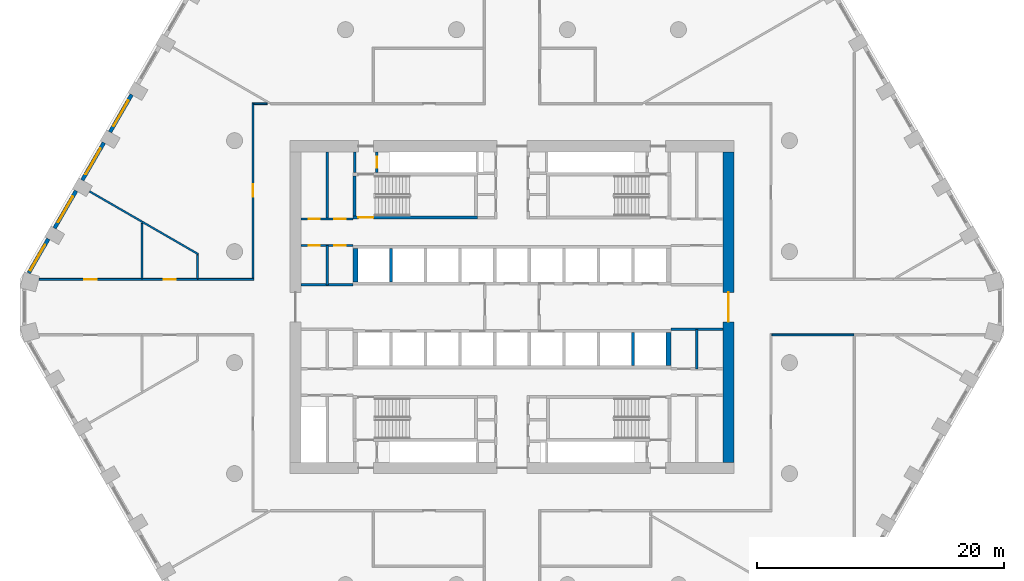
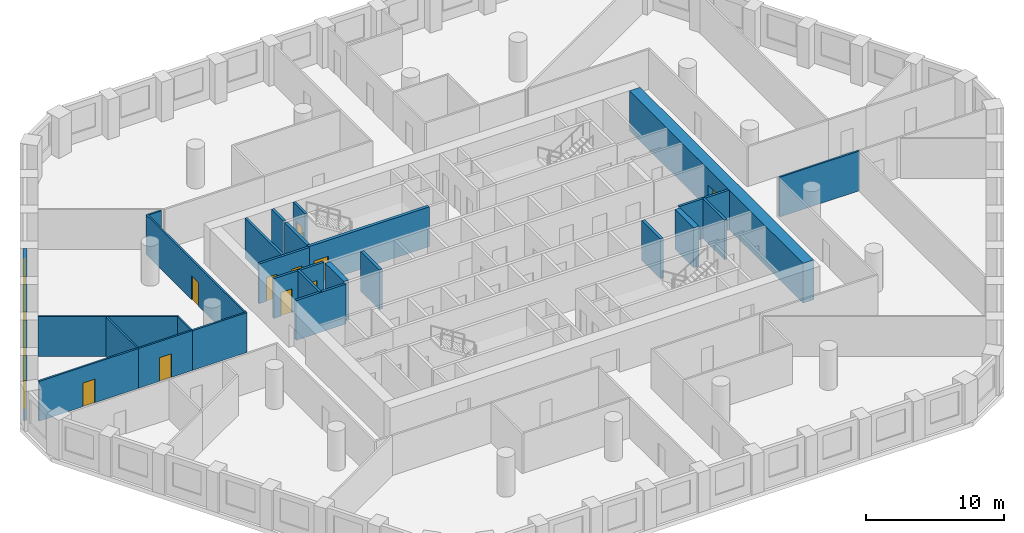
# One storey, part 5 of 10: 30 walls, 10 doors, 4 windows, 14 openings.
"""IFC4 building model written with IfcOpenShell, lengths in metres."""

from ifc_helpers import new_model, si_unit, direction, frame, frame_2d, origin, place, context, subcontext, project, spatial, polyline, rectangle, outline, extrude, material, layer, layer_set, type_object, element, fill, save


model = new_model("IFC4")

# Units and contexts
model_context = context("Model", 3, precision=1e-05, world=origin(), true_north=direction((0.0, 1.0)))
body_context = subcontext(model_context, "Body", "Model", "MODEL_VIEW")
ifc_project = project(units=[si_unit("LENGTHUNIT", "METRE"), si_unit("AREAUNIT", "SQUARE_METRE"), si_unit("VOLUMEUNIT", "CUBIC_METRE"), si_unit("PLANEANGLEUNIT", "RADIAN"), si_unit("MASSUNIT", "GRAM", prefix="KILO")], contexts=[model_context])

# Site, building, storey
site_placement = place(None, origin())
site = spatial("IfcSite", under=ifc_project, at=site_placement, CompositionType="ELEMENT")
building_placement = place(site_placement, origin())
building = spatial("IfcBuilding", under=site, at=building_placement, Name="Dhurran Vertical Campus", CompositionType="ELEMENT")
storey_placement = place(building_placement, frame((0.0, 0.0, 112.5)))
storey = spatial("IfcBuildingStorey", under=building, at=storey_placement, Name="L27", CompositionType="ELEMENT", Elevation=112.5)

# Wall, opening, window
ifc_material_1 = material(Name="Precast concrete C50/60", Category="concrete")
ifc_layer_1 = layer(ifc_material_1, 0.300048828125)
ifc_layer_set_1 = layer_set([ifc_layer_1], Name="Precast concrete C50/60")
wall_type_1 = type_object("IfcWallType", Name="Precast spandrel wall 300", PredefinedType="SOLIDWALL", material=ifc_layer_set_1)
wall_1_placement = place(storey_placement, frame((-30.84423828125, 17.22998046875, 0.0), z_axis=(0.0, 0.0, 1.0), x_axis=(-0.499996256241, -0.866027565234, 0.0)))
wall_1 = element("IfcWall", 1, at=wall_1_placement, inside=storey, type_object=wall_type_1, Name="EW1 L27.39", PredefinedType="SOLIDWALL", context=body_context, shape_type="SweptSolid", body=[
    extrude(rectangle(XDim=3.4990234375, YDim=0.300048828125, at=frame_2d((1.74951171875, 0.0))), origin(), (0.0, 0.0, 1.0), 3.52490234375),
])
opening_1_placement = place(wall_1_placement, frame((0.549560546875, 0.0, 0.89990234375)))
opening_1 = element("IfcOpeningElement", 2, at=opening_1_placement, cuts=wall_1, Name="Opening WT1", PredefinedType="OPENING", context=body_context, shape_type="SweptSolid", body=[
    extrude(rectangle(XDim=2.39990234375, YDim=2.10009765625, at=frame_2d((1.199951171875, 1.050048828125))), frame((0.0, 0.159912109375, 0.0), z_axis=(0.0, -1.0, 0.0), x_axis=(1.0, 0.0, 0.0)), (0.0, 0.0, 1.0), 0.320068359375),
])
ifc_material_2 = material(Name="Aluminium frame with solar-control glass", Category="aluminium")
window_type = type_object("IfcWindowType", Name="Punched window 2400 x 2100", PartitioningType="SINGLE_PANEL", PredefinedType="WINDOW", material=ifc_material_2)
window_1_placement = place(opening_1_placement, origin())
window_1 = element("IfcWindow", 3, at=window_1_placement, inside=storey, type_object=window_type, Name="WT1 L27.39", OverallHeight=2.10009765625, OverallWidth=2.39990234375, PartitioningType="SINGLE_PANEL", PredefinedType="WINDOW", context=body_context, shape_type="SweptSolid", body=[
    extrude(rectangle(XDim=2.39990234375, YDim=2.10009765625, at=frame_2d((1.199951171875, 1.050048828125))), frame((0.0, 0.030029296875, 0.0), z_axis=(0.0, -1.0, 0.0), x_axis=(1.0, 0.0, 0.0)), (0.0, 0.0, 1.0), 0.06005859375),
])
fill(opening_1, window_1)

wall_2_placement = place(storey_placement, frame((-33.09423828125, 13.3330078125, 0.0), z_axis=(0.0, 0.0, 1.0), x_axis=(-0.499996256241, -0.866027565234, 0.0)))
wall_2 = element("IfcWall", 4, at=wall_2_placement, inside=storey, type_object=wall_type_1, Name="EW1 L27.40", PredefinedType="SOLIDWALL", context=body_context, shape_type="SweptSolid", body=[
    extrude(rectangle(XDim=3.4990234375, YDim=0.300048828125, at=frame_2d((1.74951171875, 0.0))), origin(), (0.0, 0.0, 1.0), 3.52490234375),
])
opening_2_placement = place(wall_2_placement, frame((0.549560546875, 0.0, 0.89990234375)))
opening_2 = element("IfcOpeningElement", 5, at=opening_2_placement, cuts=wall_2, Name="Opening WT1", PredefinedType="OPENING", context=body_context, shape_type="SweptSolid", body=[
    extrude(rectangle(XDim=2.39990234375, YDim=2.10009765625, at=frame_2d((1.199951171875, 1.050048828125))), frame((0.0, 0.159912109375, 0.0), z_axis=(0.0, -1.0, 0.0), x_axis=(1.0, 0.0, 0.0)), (0.0, 0.0, 1.0), 0.320068359375),
])
window_2_placement = place(opening_2_placement, origin())
window_2 = element("IfcWindow", 6, at=window_2_placement, inside=storey, type_object=window_type, Name="WT1 L27.40", OverallHeight=2.10009765625, OverallWidth=2.39990234375, PartitioningType="SINGLE_PANEL", PredefinedType="WINDOW", context=body_context, shape_type="SweptSolid", body=[
    extrude(rectangle(XDim=2.39990234375, YDim=2.10009765625, at=frame_2d((1.199951171875, 1.050048828125))), frame((0.0, 0.030029296875, 0.0), z_axis=(0.0, -1.0, 0.0), x_axis=(1.0, 0.0, 0.0)), (0.0, 0.0, 1.0), 0.06005859375),
])
fill(opening_2, window_2)

wall_3_placement = place(storey_placement, frame((-35.34423828125, 9.435791015625, 0.0), z_axis=(0.0, 0.0, 1.0), x_axis=(-0.499996256241, -0.866027565234, 0.0)))
wall_3 = element("IfcWall", 7, at=wall_3_placement, inside=storey, type_object=wall_type_1, Name="EW1 L27.41", PredefinedType="SOLIDWALL", context=body_context, shape_type="SweptSolid", body=[
    extrude(rectangle(XDim=3.4990234375, YDim=0.300048828125, at=frame_2d((1.74951171875, 0.0))), origin(), (0.0, 0.0, 1.0), 3.52490234375),
])
opening_3_placement = place(wall_3_placement, frame((0.549560546875, 0.0, 0.89990234375)))
opening_3 = element("IfcOpeningElement", 8, at=opening_3_placement, cuts=wall_3, Name="Opening WT1", PredefinedType="OPENING", context=body_context, shape_type="SweptSolid", body=[
    extrude(rectangle(XDim=2.39990234375, YDim=2.10009765625, at=frame_2d((1.199951171875, 1.050048828125))), frame((0.0, 0.159912109375, 0.0), z_axis=(0.0, -1.0, 0.0), x_axis=(1.0, 0.0, 0.0)), (0.0, 0.0, 1.0), 0.320068359375),
])
window_3_placement = place(opening_3_placement, origin())
window_3 = element("IfcWindow", 9, at=window_3_placement, inside=storey, type_object=window_type, Name="WT1 L27.41", OverallHeight=2.10009765625, OverallWidth=2.39990234375, PartitioningType="SINGLE_PANEL", PredefinedType="WINDOW", context=body_context, shape_type="SweptSolid", body=[
    extrude(rectangle(XDim=2.39990234375, YDim=2.10009765625, at=frame_2d((1.199951171875, 1.050048828125))), frame((0.0, 0.030029296875, 0.0), z_axis=(0.0, -1.0, 0.0), x_axis=(1.0, 0.0, 0.0)), (0.0, 0.0, 1.0), 0.06005859375),
])
fill(opening_3, window_3)

wall_4_placement = place(storey_placement, frame((-37.59423828125, 5.538818359375, 0.0), z_axis=(0.0, 0.0, 1.0), x_axis=(-0.500004907028, -0.866022570692, 0.0)))
wall_4 = element("IfcWall", 10, at=wall_4_placement, inside=storey, type_object=wall_type_1, Name="EW1 L27.42", PredefinedType="SOLIDWALL", context=body_context, shape_type="SweptSolid", body=[
    extrude(rectangle(XDim=3.1923828125, YDim=0.300048828125, at=frame_2d((1.59619140625, 0.0))), origin(), (0.0, 0.0, 1.0), 3.52490234375),
])
opening_4_placement = place(wall_4_placement, frame((0.549560546875, 0.0, 0.89990234375)))
opening_4 = element("IfcOpeningElement", 11, at=opening_4_placement, cuts=wall_4, Name="Opening WT1", PredefinedType="OPENING", context=body_context, shape_type="SweptSolid", body=[
    extrude(rectangle(XDim=2.39990234375, YDim=2.10009765625, at=frame_2d((1.199951171875, 1.050048828125))), frame((0.0, 0.159912109375, 0.0), z_axis=(0.0, -1.0, 0.0), x_axis=(1.0, 0.0, 0.0)), (0.0, 0.0, 1.0), 0.320068359375),
])
window_4_placement = place(opening_4_placement, origin())
window_4 = element("IfcWindow", 12, at=window_4_placement, inside=storey, type_object=window_type, Name="WT1 L27.42", OverallHeight=2.10009765625, OverallWidth=2.39990234375, PartitioningType="SINGLE_PANEL", PredefinedType="WINDOW", context=body_context, shape_type="SweptSolid", body=[
    extrude(rectangle(XDim=2.39990234375, YDim=2.10009765625, at=frame_2d((1.199951171875, 1.050048828125))), frame((0.0, 0.030029296875, 0.0), z_axis=(0.0, -1.0, 0.0), x_axis=(1.0, 0.0, 0.0)), (0.0, 0.0, 1.0), 0.06005859375),
])
fill(opening_4, window_4)

# Wall, opening, door
ifc_material_3 = material(Name="Concrete C60/75", Category="concrete")
ifc_layer_2 = layer(ifc_material_3, 0.89990234375)
ifc_layer_set_2 = layer_set([ifc_layer_2], Name="Concrete C60/75")
wall_type_2 = type_object("IfcWallType", Name="co-CORE-WALL-C0-900", PredefinedType="SHEAR", material=ifc_layer_set_2)
wall_5_placement = place(storey_placement, frame((17.550048828125, -12.60009765625, 0.0), z_axis=(0.0, 0.0, 1.0), x_axis=(0.0, 1.0, 0.0)))
wall_5 = element("IfcWall", 13, at=wall_5_placement, inside=storey, type_object=wall_type_2, Name="Core wall E L27", PredefinedType="SHEAR", context=body_context, shape_type="SweptSolid", body=[
    extrude(rectangle(XDim=25.2001953125, YDim=0.89990234375, at=frame_2d((12.60009765625, 0.0))), origin(), (0.0, 0.0, 1.0), 3.52490234375),
])
opening_5_placement = place(wall_5_placement, frame((11.39990234375, 0.0, 0.0)))
opening_5 = element("IfcOpeningElement", 14, at=opening_5_placement, cuts=wall_5, Name="Opening CL2", PredefinedType="OPENING", context=body_context, shape_type="SweptSolid", body=[
    extrude(rectangle(XDim=2.39990234375, YDim=2.10009765625, at=frame_2d((1.199951171875, 1.050048828125))), frame((0.0, 0.4599609375, 0.0), z_axis=(0.0, -1.0, 0.0), x_axis=(1.0, 0.0, 0.0)), (0.0, 0.0, 1.0), 0.919921875),
])
ifc_material_4 = material(Name="Fire-rated glazed door set")
door_type_1 = type_object("IfcDoorType", Name="co-D-LOBBY 2400x2100", OperationType="DOUBLE_DOOR_DOUBLE_SWING", PredefinedType="DOOR", material=ifc_material_4)
door_1_placement = place(opening_5_placement, origin())
door_1 = element("IfcDoor", 15, at=door_1_placement, inside=storey, type_object=door_type_1, Name="Lift lobby door E L27", OperationType="DOUBLE_DOOR_DOUBLE_SWING", OverallHeight=2.10009765625, OverallWidth=2.39990234375, PredefinedType="DOOR", context=body_context, shape_type="SweptSolid", body=[
    extrude(rectangle(XDim=2.39990234375, YDim=2.10009765625, at=frame_2d((1.199951171875, 1.050048828125))), frame((0.0, 0.02490234375, 0.0), z_axis=(0.0, -1.0, 0.0), x_axis=(1.0, 0.0, 0.0)), (0.0, 0.0, 1.0), 0.050048828125),
])
fill(opening_5, door_1)

# Wall
ifc_material_5 = material(Name="Fire-rated masonry blockwork", Category="masonry")
ifc_layer_3 = layer(ifc_material_5, 0.199951171875)
ifc_layer_set_3 = layer_set([ifc_layer_3], Name="Fire-rated masonry blockwork")
wall_type_3 = type_object("IfcWallType", Name="co-FIRE-PARTITION-200", PredefinedType="PARTITIONING", material=ifc_layer_set_3)
wall_6_placement = place(storey_placement, frame((-12.75, 10.89990234375, 0.0), z_axis=(0.0, 0.0, 1.0), x_axis=(0.0, 1.0, 0.0)))
element("IfcWall", 16, at=wall_6_placement, inside=storey, type_object=wall_type_3, Name="Core partition pass-ST1-o L27", PredefinedType="PARTITIONING", context=body_context, shape_type="SweptSolid", body=[
    extrude(rectangle(XDim=1.7001953125, YDim=0.199951171875, at=frame_2d((0.85009765625, 0.0))), origin(), (0.0, 0.0, 1.0), 3.52490234375),
])

# Wall, opening, door
wall_7_placement = place(storey_placement, frame((-10.949951171875, 10.89990234375, 0.0), z_axis=(0.0, 0.0, 1.0), x_axis=(0.0, 1.0, 0.0)))
wall_7 = element("IfcWall", 17, at=wall_7_placement, inside=storey, type_object=wall_type_3, Name="Core partition pass-ST1-i L27", PredefinedType="PARTITIONING", context=body_context, shape_type="SweptSolid", body=[
    extrude(rectangle(XDim=1.7001953125, YDim=0.199951171875, at=frame_2d((0.85009765625, 0.0))), origin(), (0.0, 0.0, 1.0), 3.52490234375),
])
opening_6_placement = place(wall_7_placement, frame((0.39990234375, 0.0, 0.0)))
opening_6 = element("IfcOpeningElement", 18, at=opening_6_placement, cuts=wall_7, Name="Opening T07-C13", PredefinedType="OPENING", context=body_context, shape_type="SweptSolid", body=[
    extrude(rectangle(XDim=0.89990234375, YDim=2.10009765625, at=frame_2d((0.449951171875, 1.050048828125))), frame((0.0, 0.10986328125, 0.0), z_axis=(0.0, -1.0, 0.0), x_axis=(1.0, 0.0, 0.0)), (0.0, 0.0, 1.0), 0.219970703125),
])
ifc_material_6 = material(Name="Fire-rated timber door set", Category="wood")
door_type_2 = type_object("IfcDoorType", Name="co-D-ROOM 900x2100", OperationType="SINGLE_SWING_LEFT", PredefinedType="DOOR", material=ifc_material_6)
door_2_placement = place(opening_6_placement, origin())
door_2 = element("IfcDoor", 19, at=door_2_placement, inside=storey, type_object=door_type_2, Name="Riser room door L27", OperationType="SINGLE_SWING_LEFT", OverallHeight=2.10009765625, OverallWidth=0.89990234375, PredefinedType="DOOR", context=body_context, shape_type="SweptSolid", body=[
    extrude(rectangle(XDim=0.89990234375, YDim=2.10009765625, at=frame_2d((0.449951171875, 1.050048828125))), frame((0.0, 0.02490234375, 0.0), z_axis=(0.0, -1.0, 0.0), x_axis=(1.0, 0.0, 0.0)), (0.0, 0.0, 1.0), 0.050048828125),
])
fill(opening_6, door_2)

# Wall
wall_8_placement = place(storey_placement, frame((-15.0, 7.14990234375, 0.0), z_axis=(0.0, 0.0, 1.0), x_axis=(0.0, 1.0, 0.0)))
element("IfcWall", 20, at=wall_8_placement, inside=storey, type_object=wall_type_3, Name="Core partition en-NW-cut0 L27", PredefinedType="PARTITIONING", context=body_context, shape_type="SweptSolid", body=[
    extrude(rectangle(XDim=5.4501953125, YDim=0.199951171875, at=frame_2d((2.72509765625, 0.0))), origin(), (0.0, 0.0, 1.0), 3.52490234375),
])

# Wall, openings, doors
wall_9_placement = place(storey_placement, frame((-17.10009765625, 7.14990234375, 0.0), z_axis=(0.0, 0.0, 1.0), x_axis=(1.0, 0.0, 0.0)))
wall_9 = element("IfcWall", 21, at=wall_9_placement, inside=storey, type_object=wall_type_3, Name="Core partition en-NW-w L27", PredefinedType="PARTITIONING", context=body_context, shape_type="SweptSolid", body=[
    extrude(rectangle(XDim=4.2001953125, YDim=0.199951171875, at=frame_2d((2.10009765625, 0.0))), origin(), (0.0, 0.0, 1.0), 3.52490234375),
])
opening_7_placement = place(wall_9_placement, frame((0.60009765625, 0.0, 0.0)))
opening_7 = element("IfcOpeningElement", 22, at=opening_7_placement, cuts=wall_9, Name="Opening T07-C17", PredefinedType="OPENING", context=body_context, shape_type="SweptSolid", body=[
    extrude(rectangle(XDim=0.89990234375, YDim=2.10009765625, at=frame_2d((0.449951171875, 1.050048828125))), frame((0.0, 0.10986328125, 0.0), z_axis=(0.0, -1.0, 0.0), x_axis=(1.0, 0.0, 0.0)), (0.0, 0.0, 1.0), 0.219970703125),
])
opening_8_placement = place(wall_9_placement, frame((2.699951171875, 0.0, 0.0)))
opening_8 = element("IfcOpeningElement", 23, at=opening_8_placement, cuts=wall_9, Name="Opening T07-C18", PredefinedType="OPENING", context=body_context, shape_type="SweptSolid", body=[
    extrude(rectangle(XDim=0.89990234375, YDim=2.10009765625, at=frame_2d((0.449951171875, 1.050048828125))), frame((0.0, 0.10986328125, 0.0), z_axis=(0.0, -1.0, 0.0), x_axis=(1.0, 0.0, 0.0)), (0.0, 0.0, 1.0), 0.219970703125),
])
door_3_placement = place(opening_7_placement, origin())
door_3 = element("IfcDoor", 24, at=door_3_placement, inside=storey, type_object=door_type_2, Name="Cleaner's store door L27", OperationType="SINGLE_SWING_LEFT", OverallHeight=2.10009765625, OverallWidth=0.89990234375, PredefinedType="DOOR", context=body_context, shape_type="SweptSolid", body=[
    extrude(rectangle(XDim=0.89990234375, YDim=2.10009765625, at=frame_2d((0.449951171875, 1.050048828125))), frame((0.0, 0.02490234375, 0.0), z_axis=(0.0, -1.0, 0.0), x_axis=(1.0, 0.0, 0.0)), (0.0, 0.0, 1.0), 0.050048828125),
])
fill(opening_7, door_3)
door_4_placement = place(opening_8_placement, origin())
door_4 = element("IfcDoor", 25, at=door_4_placement, inside=storey, type_object=door_type_2, Name="Cleaner's store door L27", OperationType="SINGLE_SWING_LEFT", OverallHeight=2.10009765625, OverallWidth=0.89990234375, PredefinedType="DOOR", context=body_context, shape_type="SweptSolid", body=[
    extrude(rectangle(XDim=0.89990234375, YDim=2.10009765625, at=frame_2d((0.449951171875, 1.050048828125))), frame((0.0, 0.02490234375, 0.0), z_axis=(0.0, -1.0, 0.0), x_axis=(1.0, 0.0, 0.0)), (0.0, 0.0, 1.0), 0.050048828125),
])
fill(opening_8, door_4)

# Wall
wall_10_placement = place(storey_placement, frame((-15.0, 1.800048828125, 0.0), z_axis=(0.0, 0.0, 1.0), x_axis=(0.0, 1.0, 0.0)))
element("IfcWall", 26, at=wall_10_placement, inside=storey, type_object=wall_type_3, Name="Core partition es-NW-cut0 L27", PredefinedType="PARTITIONING", context=body_context, shape_type="SweptSolid", body=[
    extrude(rectangle(XDim=3.199951171875, YDim=0.199951171875, at=frame_2d((1.60009765625, 0.0))), origin(), (0.0, 0.0, 1.0), 3.52490234375),
])

# Wall, openings, doors
wall_11_placement = place(storey_placement, frame((-17.10009765625, 5.0, 0.0), z_axis=(0.0, 0.0, 1.0), x_axis=(1.0, 0.0, 0.0)))
wall_11 = element("IfcWall", 27, at=wall_11_placement, inside=storey, type_object=wall_type_3, Name="Core partition es-NW-w L27", PredefinedType="PARTITIONING", context=body_context, shape_type="SweptSolid", body=[
    extrude(rectangle(XDim=4.2001953125, YDim=0.199951171875, at=frame_2d((2.10009765625, 0.0))), origin(), (0.0, 0.0, 1.0), 3.52490234375),
])
opening_9_placement = place(wall_11_placement, frame((0.60009765625, 0.0, 0.0)))
opening_9 = element("IfcOpeningElement", 28, at=opening_9_placement, cuts=wall_11, Name="Opening T07-C19", PredefinedType="OPENING", context=body_context, shape_type="SweptSolid", body=[
    extrude(rectangle(XDim=0.89990234375, YDim=2.10009765625, at=frame_2d((0.449951171875, 1.050048828125))), frame((0.0, 0.10986328125, 0.0), z_axis=(0.0, -1.0, 0.0), x_axis=(1.0, 0.0, 0.0)), (0.0, 0.0, 1.0), 0.219970703125),
])
opening_10_placement = place(wall_11_placement, frame((2.699951171875, 0.0, 0.0)))
opening_10 = element("IfcOpeningElement", 29, at=opening_10_placement, cuts=wall_11, Name="Opening T07-C20", PredefinedType="OPENING", context=body_context, shape_type="SweptSolid", body=[
    extrude(rectangle(XDim=0.89990234375, YDim=2.10009765625, at=frame_2d((0.449951171875, 1.050048828125))), frame((0.0, 0.10986328125, 0.0), z_axis=(0.0, -1.0, 0.0), x_axis=(1.0, 0.0, 0.0)), (0.0, 0.0, 1.0), 0.219970703125),
])
door_5_placement = place(opening_9_placement, origin())
door_5 = element("IfcDoor", 30, at=door_5_placement, inside=storey, type_object=door_type_2, Name="Fire equipment store door L27", OperationType="SINGLE_SWING_LEFT", OverallHeight=2.10009765625, OverallWidth=0.89990234375, PredefinedType="DOOR", context=body_context, shape_type="SweptSolid", body=[
    extrude(rectangle(XDim=0.89990234375, YDim=2.10009765625, at=frame_2d((0.449951171875, 1.050048828125))), frame((0.0, 0.02490234375, 0.0), z_axis=(0.0, -1.0, 0.0), x_axis=(1.0, 0.0, 0.0)), (0.0, 0.0, 1.0), 0.050048828125),
])
fill(opening_9, door_5)
door_6_placement = place(opening_10_placement, origin())
door_6 = element("IfcDoor", 31, at=door_6_placement, inside=storey, type_object=door_type_2, Name="Housekeeping store door L27", OperationType="SINGLE_SWING_LEFT", OverallHeight=2.10009765625, OverallWidth=0.89990234375, PredefinedType="DOOR", context=body_context, shape_type="SweptSolid", body=[
    extrude(rectangle(XDim=0.89990234375, YDim=2.10009765625, at=frame_2d((0.449951171875, 1.050048828125))), frame((0.0, 0.02490234375, 0.0), z_axis=(0.0, -1.0, 0.0), x_axis=(1.0, 0.0, 0.0)), (0.0, 0.0, 1.0), 0.050048828125),
])
fill(opening_10, door_6)

# Walls
wall_12_placement = place(storey_placement, frame((-17.10009765625, 1.800048828125, 0.0), z_axis=(0.0, 0.0, 1.0), x_axis=(1.0, 0.0, 0.0)))
element("IfcWall", 32, at=wall_12_placement, inside=storey, type_object=wall_type_3, Name="Core partition es-NW-l L27", PredefinedType="PARTITIONING", context=body_context, shape_type="SweptSolid", body=[
    extrude(rectangle(XDim=4.2001953125, YDim=0.199951171875, at=frame_2d((2.10009765625, 0.0))), origin(), (0.0, 0.0, 1.0), 3.52490234375),
])
wall_13_placement = place(storey_placement, frame((15.0, -5.0, 0.0), z_axis=(0.0, 0.0, 1.0), x_axis=(0.0, 1.0, 0.0)))
element("IfcWall", 33, at=wall_13_placement, inside=storey, type_object=wall_type_3, Name="Core partition es-SE-cut0 L27", PredefinedType="PARTITIONING", context=body_context, shape_type="SweptSolid", body=[
    extrude(rectangle(XDim=3.199951171875, YDim=0.199951171875, at=frame_2d((1.60009765625, 0.0))), origin(), (0.0, 0.0, 1.0), 3.52490234375),
])
wall_14_placement = place(storey_placement, frame((12.89990234375, -1.800048828125, 0.0), z_axis=(0.0, 0.0, 1.0), x_axis=(1.0, 0.0, 0.0)))
element("IfcWall", 34, at=wall_14_placement, inside=storey, type_object=wall_type_3, Name="Core partition es-SE-l L27", PredefinedType="PARTITIONING", context=body_context, shape_type="SweptSolid", body=[
    extrude(rectangle(XDim=4.2001953125, YDim=0.199951171875, at=frame_2d((2.10009765625, 0.0))), origin(), (0.0, 0.0, 1.0), 3.52490234375),
])
ifc_material_7 = material(Name="Concrete C50/60", Category="concrete")
ifc_layer_4 = layer(ifc_material_7, 0.25)
ifc_layer_set_4 = layer_set([ifc_layer_4], Name="Concrete C50/60")
wall_type_4 = type_object("IfcWallType", Name="co-SHAFT-MASS-250", PredefinedType="SHEAR", material=ifc_layer_set_4)
wall_15_placement = place(storey_placement, origin())
element("IfcWall", 35, at=wall_15_placement, inside=storey, type_object=wall_type_4, Name="Lift shaft wall N L27 2", PredefinedType="SHEAR", context=body_context, shape_type="SweptSolid", body=[
    extrude(outline(polyline([(-12.89990234375, 2.050048828125), (-12.47509765625, 2.050048828125), (-12.47509765625, 4.75), (-12.89990234375, 4.75), (-12.89990234375, 2.050048828125)])), origin(), (0.0, 0.0, 1.0), 3.52490234375),
])
wall_16_placement = place(storey_placement, origin())
element("IfcWall", 36, at=wall_16_placement, inside=storey, type_object=wall_type_4, Name="Lift shaft wall N L27 3", PredefinedType="SHEAR", context=body_context, shape_type="SweptSolid", body=[
    extrude(outline(polyline([(-9.925048828125, 2.050048828125), (-9.675048828125, 2.050048828125), (-9.675048828125, 4.75), (-9.925048828125, 4.75), (-9.925048828125, 2.050048828125)])), origin(), (0.0, 0.0, 1.0), 3.52490234375),
])
wall_17_placement = place(storey_placement, origin())
element("IfcWall", 37, at=wall_17_placement, inside=storey, type_object=wall_type_4, Name="Lift shaft wall S L27 10", PredefinedType="SHEAR", context=body_context, shape_type="SweptSolid", body=[
    extrude(outline(polyline([(9.675048828125, -4.75), (9.925048828125, -4.75), (9.925048828125, -2.050048828125), (9.675048828125, -2.050048828125), (9.675048828125, -4.75)])), origin(), (0.0, 0.0, 1.0), 3.52490234375),
])
wall_18_placement = place(storey_placement, origin())
element("IfcWall", 38, at=wall_18_placement, inside=storey, type_object=wall_type_4, Name="Lift shaft wall S L27 11", PredefinedType="SHEAR", context=body_context, shape_type="SweptSolid", body=[
    extrude(outline(polyline([(12.47509765625, -4.75), (12.89990234375, -4.75), (12.89990234375, -2.050048828125), (12.47509765625, -2.050048828125), (12.47509765625, -4.75)])), origin(), (0.0, 0.0, 1.0), 3.52490234375),
])

# Wall, opening, door
ifc_material_8 = material(Name="Concrete C40/50", Category="concrete")
ifc_layer_5 = layer(ifc_material_8, 0.25)
ifc_layer_set_5 = layer_set([ifc_layer_5], Name="Concrete C40/50")
wall_type_5 = type_object("IfcWallType", Name="co-STAIR-WALL-250", PredefinedType="SHEAR", material=ifc_layer_set_5)
wall_19_placement = place(storey_placement, frame((-12.89990234375, 7.27490234375, 0.0), z_axis=(0.0, 0.0, 1.0), x_axis=(1.0, 0.0, 0.0)))
wall_19 = element("IfcWall", 39, at=wall_19_placement, inside=storey, type_object=wall_type_5, Name="Stair ST1 enclosure wall L27", PredefinedType="SHEAR", context=body_context, shape_type="SweptSolid", body=[
    extrude(rectangle(XDim=10.099853515625, YDim=0.25, at=frame_2d((5.0498046875, 0.0))), origin(), (0.0, 0.0, 1.0), 3.52490234375),
])
opening_11_placement = place(wall_19_placement, frame((0.449951171875, 0.0, 0.0)))
opening_11 = element("IfcOpeningElement", 40, at=opening_11_placement, cuts=wall_19, Name="Opening SD1", PredefinedType="OPENING", context=body_context, shape_type="SweptSolid", body=[
    extrude(rectangle(XDim=1.199951171875, YDim=2.10009765625, at=frame_2d((0.60009765625, 1.050048828125))), frame((0.0, 0.135009765625, 0.0), z_axis=(0.0, -1.0, 0.0), x_axis=(1.0, 0.0, 0.0)), (0.0, 0.0, 1.0), 0.27001953125),
])
ifc_material_9 = material(Name="Fire-rated steel door set", Category="steel")
door_type_3 = type_object("IfcDoorType", Name="co-D-STAIR 1200x2100", OperationType="SINGLE_SWING_LEFT", PredefinedType="DOOR", material=ifc_material_9)
door_7_placement = place(opening_11_placement, origin())
door_7 = element("IfcDoor", 41, at=door_7_placement, inside=storey, type_object=door_type_3, Name="Stair ST1 door L27", OperationType="SINGLE_SWING_LEFT", OverallHeight=2.10009765625, OverallWidth=1.199951171875, PredefinedType="DOOR", context=body_context, shape_type="SweptSolid", body=[
    extrude(rectangle(XDim=1.199951171875, YDim=2.10009765625, at=frame_2d((0.60009765625, 1.050048828125))), frame((0.0, 0.02490234375, 0.0), z_axis=(0.0, -1.0, 0.0), x_axis=(1.0, 0.0, 0.0)), (0.0, 0.0, 1.0), 0.050048828125),
])
fill(opening_11, door_7)

# Wall
wall_20_placement = place(storey_placement, frame((-12.77490234375, 7.39990234375, 0.0), z_axis=(0.0, 0.0, 1.0), x_axis=(0.0, 1.0, 0.0)))
element("IfcWall", 42, at=wall_20_placement, inside=storey, type_object=wall_type_5, Name="Stair ST1 enclosure wall L27", PredefinedType="SHEAR", context=body_context, shape_type="SweptSolid", body=[
    extrude(rectangle(XDim=3.25, YDim=0.25, at=frame_2d((1.625, 0.0))), origin(), (0.0, 0.0, 1.0), 3.52490234375),
])

# Wall, opening, door
ifc_material_10 = material(Name="Gypsum board corridor wall on steel studs", Category="steel")
ifc_layer_6 = layer(ifc_material_10, 0.14990234375)
ifc_layer_set_6 = layer_set([ifc_layer_6], Name="Gypsum board corridor wall on steel studs")
wall_type_6 = type_object("IfcWallType", Name="fl-CW-150 corridor wall", PredefinedType="PARTITIONING", material=ifc_layer_set_6)
wall_21_placement = place(storey_placement, frame((-38.35009765625, 2.25, 0.0), z_axis=(0.0, 0.0, 1.0), x_axis=(1.0, 0.0, 0.0)))
wall_21 = element("IfcWall", 43, at=wall_21_placement, inside=storey, type_object=wall_type_6, Name="Partition 27-02", PredefinedType="PARTITIONING", context=body_context, shape_type="SweptSolid", body=[
    extrude(rectangle(XDim=8.35009765625, YDim=0.14990234375, at=frame_2d((4.175048828125, 0.0))), origin(), (0.0, 0.0, 1.0), 3.52490234375),
])
opening_12_placement = place(wall_21_placement, frame((3.675048828125, 0.0, 0.0)))
opening_12 = element("IfcOpeningElement", 44, at=opening_12_placement, cuts=wall_21, Name="Opening T07.02", PredefinedType="OPENING", context=body_context, shape_type="SweptSolid", body=[
    extrude(rectangle(XDim=1.0, YDim=2.10009765625, at=frame_2d((0.5, 1.050048828125))), frame((0.0, 0.0849609375, 0.0), z_axis=(0.0, -1.0, 0.0), x_axis=(1.0, 0.0, 0.0)), (0.0, 0.0, 1.0), 0.169921875),
])
ifc_material_11 = material(Name="Solid-core timber door set, fire-rated", Category="wood")
door_type_4 = type_object("IfcDoorType", Name="fl-D-1000x2100", OperationType="SINGLE_SWING_LEFT", PredefinedType="DOOR", material=ifc_material_11)
door_8_placement = place(opening_12_placement, origin())
door_8 = element("IfcDoor", 45, at=door_8_placement, inside=storey, type_object=door_type_4, Name="Door 27.02", OperationType="SINGLE_SWING_LEFT", OverallHeight=2.10009765625, OverallWidth=1.0, PredefinedType="DOOR", context=body_context, shape_type="SweptSolid", body=[
    extrude(rectangle(XDim=1.0, YDim=2.10009765625, at=frame_2d((0.5, 1.050048828125))), frame((0.0, 0.02490234375, 0.0), z_axis=(0.0, -1.0, 0.0), x_axis=(1.0, 0.0, 0.0)), (0.0, 0.0, 1.0), 0.050048828125),
])
fill(opening_12, door_8)

wall_22_placement = place(storey_placement, frame((-30.0, 2.25, 0.0), z_axis=(0.0, 0.0, 1.0), x_axis=(1.0, 0.0, 0.0)))
wall_22 = element("IfcWall", 46, at=wall_22_placement, inside=storey, type_object=wall_type_6, Name="Partition 27-09", PredefinedType="PARTITIONING", context=body_context, shape_type="SweptSolid", body=[
    extrude(rectangle(XDim=4.5, YDim=0.14990234375, at=frame_2d((2.25, 0.0))), origin(), (0.0, 0.0, 1.0), 3.52490234375),
])
opening_13_placement = place(wall_22_placement, frame((1.75, 0.0, 0.0)))
opening_13 = element("IfcOpeningElement", 47, at=opening_13_placement, cuts=wall_22, Name="Opening T07.04", PredefinedType="OPENING", context=body_context, shape_type="SweptSolid", body=[
    extrude(rectangle(XDim=1.0, YDim=2.10009765625, at=frame_2d((0.5, 1.050048828125))), frame((0.0, 0.0849609375, 0.0), z_axis=(0.0, -1.0, 0.0), x_axis=(1.0, 0.0, 0.0)), (0.0, 0.0, 1.0), 0.169921875),
])
door_9_placement = place(opening_13_placement, origin())
door_9 = element("IfcDoor", 48, at=door_9_placement, inside=storey, type_object=door_type_4, Name="Door 27.04", OperationType="SINGLE_SWING_LEFT", OverallHeight=2.10009765625, OverallWidth=1.0, PredefinedType="DOOR", context=body_context, shape_type="SweptSolid", body=[
    extrude(rectangle(XDim=1.0, YDim=2.10009765625, at=frame_2d((0.5, 1.050048828125))), frame((0.0, 0.02490234375, 0.0), z_axis=(0.0, -1.0, 0.0), x_axis=(1.0, 0.0, 0.0)), (0.0, 0.0, 1.0), 0.050048828125),
])
fill(opening_13, door_9)

# Wall
wall_23_placement = place(storey_placement, frame((-25.5, 2.25, 0.0), z_axis=(0.0, 0.0, 1.0), x_axis=(1.0, 0.0, 0.0)))
element("IfcWall", 49, at=wall_23_placement, inside=storey, type_object=wall_type_6, Name="Partition 27-16", PredefinedType="PARTITIONING", context=body_context, shape_type="SweptSolid", body=[
    extrude(rectangle(XDim=4.574951171875, YDim=0.14990234375, at=frame_2d((2.28759765625, 0.0))), origin(), (0.0, 0.0, 1.0), 3.52490234375),
])

# Wall, opening, door
wall_24_placement = place(storey_placement, frame((-21.0, 16.574951171875, 0.0), z_axis=(0.0, 0.0, 1.0), x_axis=(0.0, -1.0, 0.0)))
wall_24 = element("IfcWall", 50, at=wall_24_placement, inside=storey, type_object=wall_type_6, Name="Partition 27-19", PredefinedType="PARTITIONING", context=body_context, shape_type="SweptSolid", body=[
    extrude(rectangle(XDim=14.25, YDim=0.14990234375, at=frame_2d((7.125, 0.0))), origin(), (0.0, 0.0, 1.0), 3.52490234375),
])
opening_14_placement = place(wall_24_placement, frame((6.625, 0.0, 0.0)))
opening_14 = element("IfcOpeningElement", 51, at=opening_14_placement, cuts=wall_24, Name="Opening T07.06", PredefinedType="OPENING", context=body_context, shape_type="SweptSolid", body=[
    extrude(rectangle(XDim=1.0, YDim=2.10009765625, at=frame_2d((0.5, 1.050048828125))), frame((0.0, 0.0849609375, 0.0), z_axis=(0.0, -1.0, 0.0), x_axis=(1.0, 0.0, 0.0)), (0.0, 0.0, 1.0), 0.169921875),
])
door_10_placement = place(opening_14_placement, origin())
door_10 = element("IfcDoor", 52, at=door_10_placement, inside=storey, type_object=door_type_4, Name="Door 27.06", OperationType="SINGLE_SWING_RIGHT", OverallHeight=2.10009765625, OverallWidth=1.0, PredefinedType="DOOR", context=body_context, shape_type="SweptSolid", body=[
    extrude(rectangle(XDim=1.0, YDim=2.10009765625, at=frame_2d((0.5, 1.050048828125))), frame((0.0, 0.02490234375, 0.0), z_axis=(0.0, -1.0, 0.0), x_axis=(1.0, 0.0, 0.0)), (0.0, 0.0, 1.0), 0.050048828125),
])
fill(opening_14, door_10)

# Walls
wall_25_placement = place(storey_placement, frame((-19.85400390625, 16.5, 0.0), z_axis=(0.0, 0.0, 1.0), x_axis=(-1.0, 0.0, 0.0)))
element("IfcWall", 53, at=wall_25_placement, inside=storey, type_object=wall_type_6, Name="Partition 27-20", PredefinedType="PARTITIONING", context=body_context, shape_type="SweptSolid", body=[
    extrude(rectangle(XDim=1.071044921875, YDim=0.14990234375, at=frame_2d((0.53564453125, 0.0))), origin(), (0.0, 0.0, 1.0), 3.52490234375),
])
wall_26_placement = place(storey_placement, frame((27.75, -2.25, 0.0), z_axis=(0.0, 0.0, 1.0), x_axis=(-1.0, 0.0, 0.0)))
element("IfcWall", 54, at=wall_26_placement, inside=storey, type_object=wall_type_6, Name="Partition 27-53", PredefinedType="PARTITIONING", context=body_context, shape_type="SweptSolid", body=[
    extrude(rectangle(XDim=6.675048828125, YDim=0.14990234375, at=frame_2d((3.33740234375, 0.0))), origin(), (0.0, 0.0, 1.0), 3.52490234375),
])
ifc_material_12 = material(Name="Gypsum board partition on steel studs", Category="steel")
ifc_layer_7 = layer(ifc_material_12, 0.14990234375)
ifc_layer_set_7 = layer_set([ifc_layer_7], Name="Gypsum board partition on steel studs")
wall_type_7 = type_object("IfcWallType", Name="fl-PW-150 fixed partition", PredefinedType="PARTITIONING", material=ifc_layer_set_7)
wall_27_placement = place(storey_placement, frame((-34.25390625, 9.38427734375, 0.0), z_axis=(0.0, 0.0, 1.0), x_axis=(0.865998524286, -0.500046553767, 0.0)))
element("IfcWall", 55, at=wall_27_placement, inside=storey, type_object=wall_type_7, Name="Partition 27-04", PredefinedType="PARTITIONING", context=body_context, shape_type="SweptSolid", body=[
    extrude(rectangle(XDim=4.912109375, YDim=0.14990234375, at=frame_2d((2.4560546875, 0.0))), origin(), (0.0, 0.0, 1.0), 3.52490234375),
])
wall_28_placement = place(storey_placement, frame((-30.0, 6.798095703125, 0.0), z_axis=(0.0, 0.0, 1.0), x_axis=(0.0, -1.0, 0.0)))
element("IfcWall", 56, at=wall_28_placement, inside=storey, type_object=wall_type_7, Name="Partition 27-08", PredefinedType="PARTITIONING", context=body_context, shape_type="SweptSolid", body=[
    extrude(rectangle(XDim=4.47314453125, YDim=0.14990234375, at=frame_2d((2.236572265625, 0.0))), origin(), (0.0, 0.0, 1.0), 3.52490234375),
])
wall_29_placement = place(storey_placement, frame((-30.0, 6.927978515625, 0.0), z_axis=(0.0, 0.0, 1.0), x_axis=(0.866031326857, -0.499989740797, 0.0)))
element("IfcWall", 57, at=wall_29_placement, inside=storey, type_object=wall_type_7, Name="Partition 27-10", PredefinedType="PARTITIONING", context=body_context, shape_type="SweptSolid", body=[
    extrude(rectangle(XDim=5.27099609375, YDim=0.14990234375, at=frame_2d((2.635498046875, 0.0))), origin(), (0.0, 0.0, 1.0), 3.52490234375),
])
wall_30_placement = place(storey_placement, frame((-25.5, 4.22998046875, 0.0), z_axis=(0.0, 0.0, 1.0), x_axis=(0.0, -1.0, 0.0)))
element("IfcWall", 58, at=wall_30_placement, inside=storey, type_object=wall_type_7, Name="Partition 27-15", PredefinedType="PARTITIONING", context=body_context, shape_type="SweptSolid", body=[
    extrude(rectangle(XDim=1.905029296875, YDim=0.14990234375, at=frame_2d((0.95263671875, 0.0))), origin(), (0.0, 0.0, 1.0), 3.52490234375),
])

save(model, "model.ifc")
